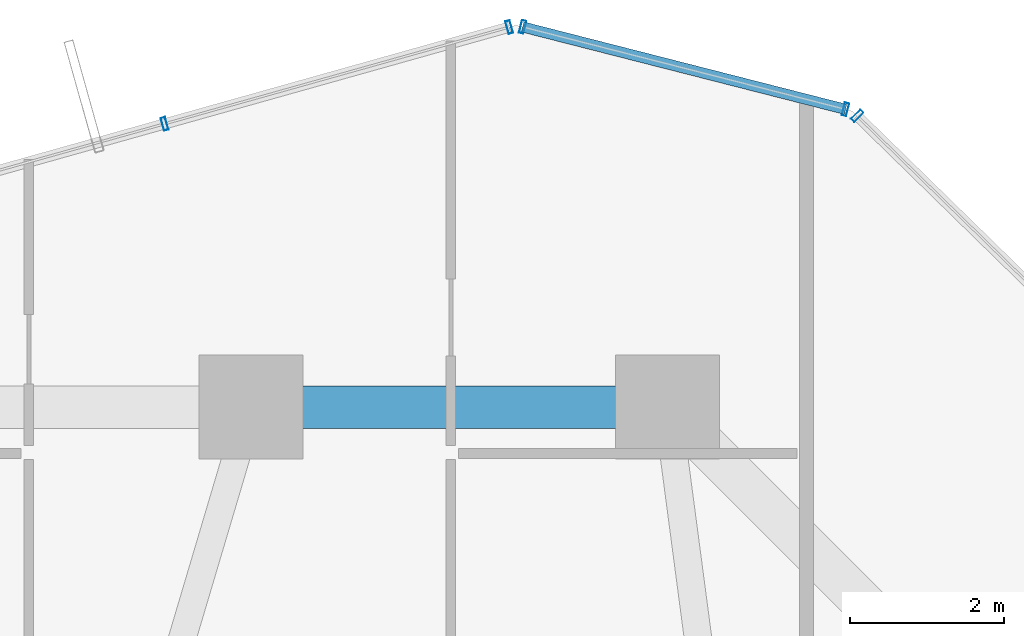
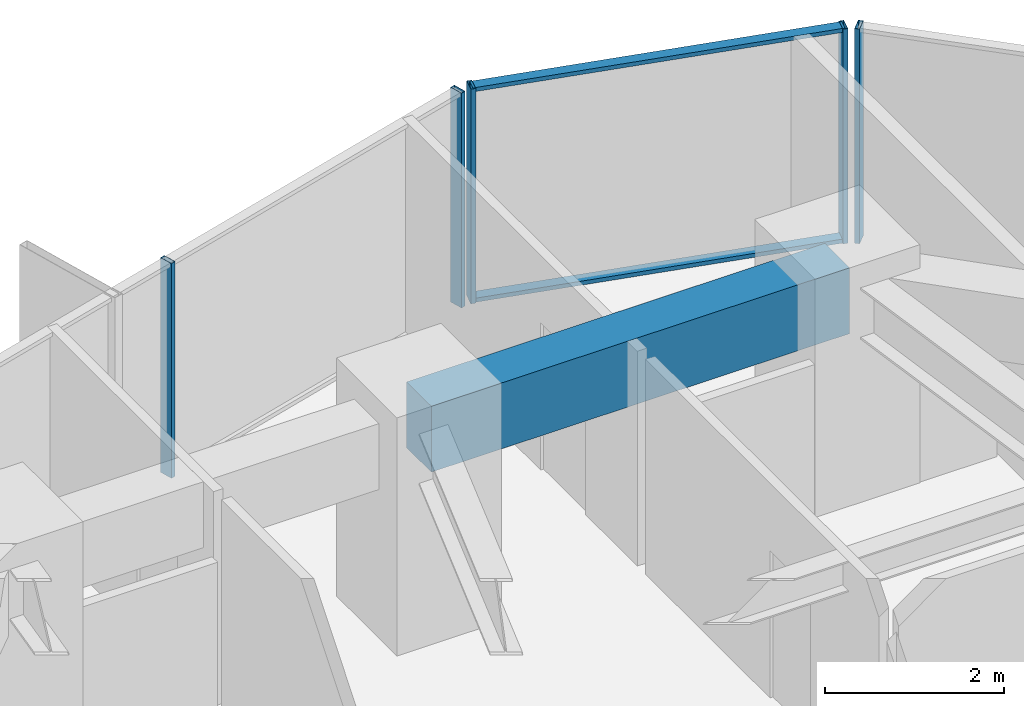
# One storey, part 28 of 39: 7 members, 1 beam, 3 elements without a shape of their own.
"""IFC4 building model written with IfcOpenShell, lengths in metres."""

from ifc_helpers import new_model, si_unit, direction, frame, origin, origin_2d, place, context, subcontext, project, spatial, rectangle, hollow_rectangle, extrude, source, transform, mapped, material, layer, layer_set, material_profile, profile_set, type_object, element, aggregate, save


model = new_model("IFC4")

# Units and contexts
model_context = context("Model", 3, precision=1e-05, world=origin(), true_north=direction((0.0, 1.0)))
body_context = subcontext(model_context, "Body", "Model", "MODEL_VIEW")
ifc_project = project(units=[si_unit("LENGTHUNIT", "METRE"), si_unit("AREAUNIT", "SQUARE_METRE"), si_unit("VOLUMEUNIT", "CUBIC_METRE"), si_unit("PLANEANGLEUNIT", "RADIAN"), si_unit("MASSUNIT", "GRAM", prefix="KILO")], contexts=[model_context])

# Site, building, storey
site_placement = place(None, origin())
site = spatial("IfcSite", under=ifc_project, at=site_placement, CompositionType="ELEMENT")
building_placement = place(site_placement, origin())
building = spatial("IfcBuilding", under=site, at=building_placement, Name="Veraguas Prism Commons", CompositionType="ELEMENT")
storey_placement = place(building_placement, frame((0.0, 0.0, 77.10009765625)))
storey = spatial("IfcBuildingStorey", under=building, at=storey_placement, Name="L21", CompositionType="ELEMENT", Elevation=77.10009765625)

# Beam
ifc_material_1 = material(Name="Concrete C50/60", Category="concrete")
ifc_material_profile_1 = material_profile(ifc_material_1, rectangle(XDim=0.550048828125, YDim=0.89990234375, at=origin_2d()), Name="RC550X900")
ifc_profile_set_1 = profile_set([ifc_material_profile_1], Name="Concrete C50/60")
beam_type = type_object("IfcBeamType", Name="Perimeter Spandrel Lower RC 550x900", PredefinedType="SPANDREL", material=ifc_profile_set_1)
beam_placement = place(storey_placement, frame((29.39990234375, 41.60009765625, 2.47998046875), z_axis=(-1.0, 0.0, 0.0), x_axis=(0.0, -1.0, 0.0)))
element("IfcBeam", 1, at=beam_placement, inside=storey, type_object=beam_type, Name="Perimeter Spandrel Beam L21-SP04", PredefinedType="SPANDREL", context=body_context, shape_type="SweptSolid", body=[
    extrude(rectangle(XDim=0.550048828125, YDim=0.89990234375, at=origin_2d()), origin(), (0.0, 0.0, 1.0), 5.39990234375),
])

# Curtain wall, members
ifc_material_2 = material(Name="Anodised aluminium EN AW-6063 T6", Category="aluminium")
ifc_layer = layer(ifc_material_2, 0.169921875, Name="Unitised Flush Curtain Wall Zone 1", Category="aluminium")
ifc_layer_set = layer_set([ifc_layer], Name="Anodised aluminium EN AW-6063 T6")
curtain_wall_type = type_object("IfcCurtainWallType", Name="Unitised Flush Curtain Wall Zone 1", PredefinedType="NOTDEFINED", material=ifc_layer_set)
curtain_wall_1_placement = place(storey_placement, origin())
curtain_wall_1 = element("IfcCurtainWall", 2, at=curtain_wall_1_placement, inside=storey, type_object=curtain_wall_type, Name="Chamfer Curtain Wall L21-C2", PredefinedType="NOTDEFINED")
ifc_material_profile_2 = material_profile(ifc_material_2, hollow_rectangle(XDim=0.054931640625, YDim=0.135009765625, WallThickness=0.0029296875, at=origin_2d()), Name="AL55X135X3")
ifc_profile_set_2 = profile_set([ifc_material_profile_2], Name="Anodised aluminium EN AW-6063 T6")
member_type_1 = type_object("IfcMemberType", Name="Curtain Wall Transom Standard AL 55x135x3", PredefinedType="USERDEFINED", material=ifc_profile_set_2)
shared_shape_1 = source(origin(), body_context, "Body", "SweptSolid", [
    extrude(hollow_rectangle(XDim=0.054931640625, YDim=0.135009765625, WallThickness=0.0029296875, at=origin_2d()), origin(), (0.0, 0.0, 1.0), 4.320068359375),
])
member_1_placement = place(storey_placement, frame((31.707763671875, 45.46142578125, 0.02734375), z_axis=(-0.968937306246, 0.247306483064, 0.0), x_axis=(0.0, 0.0, 1.0)))
member_1 = element("IfcMember", 3, at=member_1_placement, type_object=member_type_1, Name="CW-Z1 Transom 1", ObjectType="TRANSOM", PredefinedType="USERDEFINED", context=body_context, shape_type="MappedRepresentation", body=[
    mapped(shared_shape_1, transform((0.0, 0.0, 0.0), scale=1.0)),
])
member_2_placement = place(storey_placement, frame((31.707763671875, 45.46142578125, 2.90234375), z_axis=(-0.968937306246, 0.247306483064, 0.0), x_axis=(0.0, 0.0, 1.0)))
member_2 = element("IfcMember", 4, at=member_2_placement, type_object=member_type_1, Name="CW-Z1 Transom 2", ObjectType="TRANSOM", PredefinedType="USERDEFINED", context=body_context, shape_type="MappedRepresentation", body=[
    mapped(shared_shape_1, transform((0.0, 0.0, 0.0), scale=1.0)),
])

# Curtain wall, member
curtain_wall_2_placement = place(storey_placement, origin())
curtain_wall_2 = element("IfcCurtainWall", 5, at=curtain_wall_2_placement, inside=storey, type_object=curtain_wall_type, Name="Tower Facade Curtain Wall L21-F1", PredefinedType="NOTDEFINED")
ifc_material_profile_3 = material_profile(ifc_material_2, hollow_rectangle(XDim=0.06005859375, YDim=0.169921875, WallThickness=0.00390625, at=origin_2d()), Name="AL60X170X4")
ifc_profile_set_3 = profile_set([ifc_material_profile_3], Name="Anodised aluminium EN AW-6063 T6")
member_type_2 = type_object("IfcMemberType", Name="Curtain Wall Mullion Lower AL 60x170x4", PredefinedType="MULLION", material=ifc_profile_set_3)
shared_shape_2 = source(origin(), body_context, "Body", "SweptSolid", [
    extrude(hollow_rectangle(XDim=0.06005859375, YDim=0.169921875, WallThickness=0.00390625, at=origin_2d()), origin(), (0.0, 0.0, 1.0), 2.929931640625),
])
member_3_placement = place(storey_placement, frame((31.859375, 45.376220703125, 0.0), z_axis=(0.0, 0.0, 1.0), x_axis=(-0.715448897181, 0.698665066769, 0.0)))
member_3 = element("IfcMember", 6, at=member_3_placement, type_object=member_type_2, Name="CW-Z1 Mullion 5", PredefinedType="MULLION", context=body_context, shape_type="MappedRepresentation", body=[
    mapped(shared_shape_2, transform((0.0, 0.0, 0.0), scale=1.0)),
])
aggregate(curtain_wall_2, [member_3])

# Curtain wall, members
curtain_wall_3_placement = place(storey_placement, origin())
curtain_wall_3 = element("IfcCurtainWall", 7, at=curtain_wall_3_placement, inside=storey, type_object=curtain_wall_type, Name="Tower Facade Curtain Wall L21-F2", PredefinedType="NOTDEFINED")
member_4_placement = place(storey_placement, frame((27.347900390625, 46.52783203125, 0.0), z_axis=(0.0, 0.0, 1.0), x_axis=(-0.962785673447, -0.270266067062, 0.0)))
member_4 = element("IfcMember", 8, at=member_4_placement, type_object=member_type_2, Name="CW-Z1 Mullion 1", PredefinedType="MULLION", context=body_context, shape_type="MappedRepresentation", body=[
    mapped(shared_shape_2, transform((0.0, 0.0, 0.0), scale=1.0)),
])
member_5_placement = place(storey_placement, frame((22.8798828125, 45.2734375, 0.0), z_axis=(0.0, 0.0, 1.0), x_axis=(-0.962785673447, -0.270266067062, 0.0)))
member_5 = element("IfcMember", 9, at=member_5_placement, type_object=member_type_2, Name="CW-Z1 Mullion 2", PredefinedType="MULLION", context=body_context, shape_type="MappedRepresentation", body=[
    mapped(shared_shape_2, transform((0.0, 0.0, 0.0), scale=1.0)),
])
aggregate(curtain_wall_3, [member_4, member_5])

# Member
member_6_placement = place(storey_placement, frame((31.707763671875, 45.46142578125, 0.0), z_axis=(0.0, 0.0, 1.0), x_axis=(-0.968927294991, 0.247345703463, 0.0)))
member_6 = element("IfcMember", 10, at=member_6_placement, type_object=member_type_2, Name="CW-Z1 Mullion 1", PredefinedType="MULLION", context=body_context, shape_type="MappedRepresentation", body=[
    mapped(shared_shape_2, transform((0.0, 0.0, 0.0), scale=1.0)),
])

member_7_placement = place(storey_placement, frame((27.52197265625, 46.52978515625, 0.0), z_axis=(0.0, 0.0, 1.0), x_axis=(-0.968927294991, 0.247345703463, 0.0)))
member_7 = element("IfcMember", 11, at=member_7_placement, type_object=member_type_2, Name="CW-Z1 Mullion 2", PredefinedType="MULLION", context=body_context, shape_type="MappedRepresentation", body=[
    mapped(shared_shape_2, transform((0.0, 0.0, 0.0), scale=1.0)),
])

aggregate(curtain_wall_1, [member_6, member_7, member_1, member_2])

save(model, "model.ifc")
